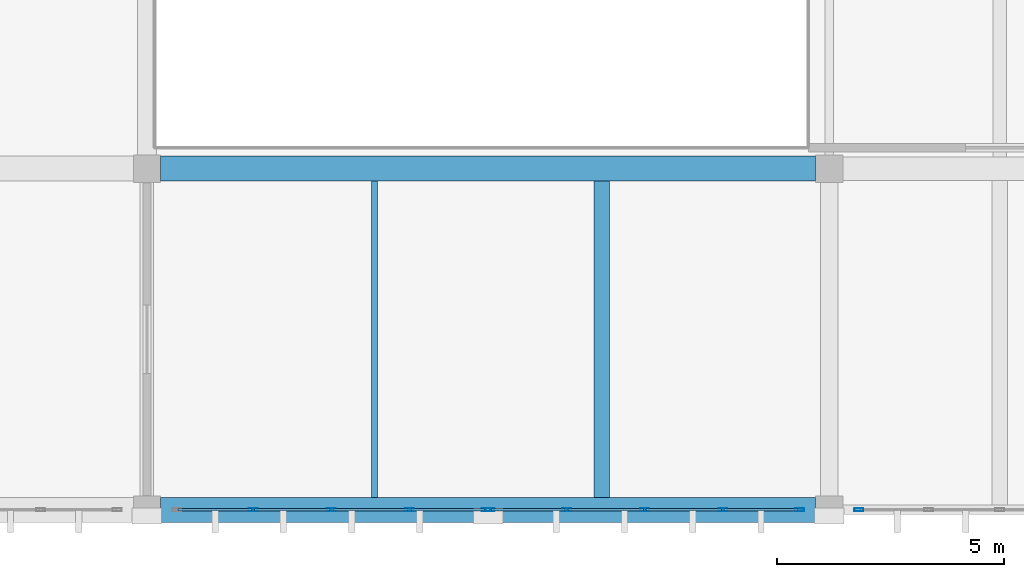
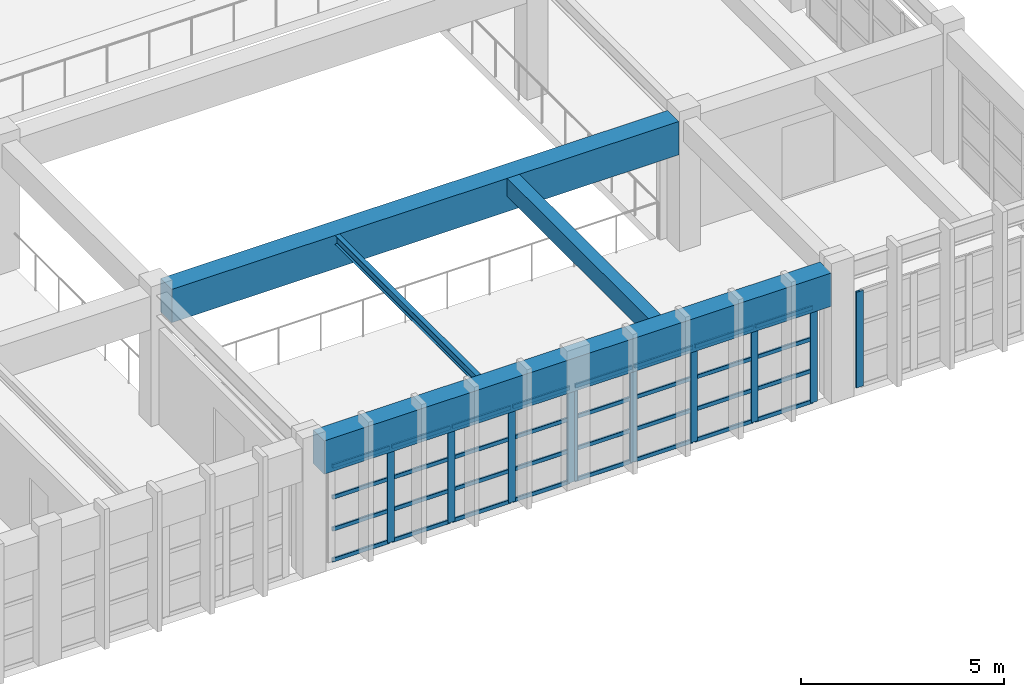
# One storey, part 5 of 124: 42 members, 4 beams, 3 elements without a shape of their own.
"""IFC4 building model written with IfcOpenShell, lengths in metres."""

from ifc_helpers import new_model, si_unit, direction, frame, origin, origin_2d, place, context, subcontext, project, spatial, rectangle, hollow_rectangle, i_section, extrude, material, material_profile, profile_set, type_object, element, aggregate, save


model = new_model("IFC4")

# Units and contexts
model_context = context("Model", 3, precision=1e-05, world=origin(), true_north=direction((0.0, 1.0)))
body_context = subcontext(model_context, "Body", "Model", "MODEL_VIEW")
ifc_project = project(units=[si_unit("LENGTHUNIT", "METRE"), si_unit("AREAUNIT", "SQUARE_METRE"), si_unit("VOLUMEUNIT", "CUBIC_METRE"), si_unit("PLANEANGLEUNIT", "RADIAN"), si_unit("MASSUNIT", "GRAM", prefix="KILO")], contexts=[model_context])

# Site, building, storey
site_placement = place(None, origin())
site = spatial("IfcSite", under=ifc_project, at=site_placement, CompositionType="ELEMENT")
building_placement = place(site_placement, origin())
building = spatial("IfcBuilding", under=site, at=building_placement, Name="Qasida Concert Hall", CompositionType="ELEMENT")
storey_placement = place(building_placement, frame((0.0, 0.0, 9.0)))
storey = spatial("IfcBuildingStorey", under=building, at=storey_placement, Name="L02", CompositionType="ELEMENT", Elevation=9.0)

# Beams
ifc_material_1 = material(Name="Concrete C40/50", Category="concrete")
ifc_material_profile_1 = material_profile(ifc_material_1, rectangle(XDim=0.550048828125, YDim=1.0, at=origin_2d()), Name="RC 550x1000")
ifc_profile_set_1 = profile_set([ifc_material_profile_1], Name="Concrete C40/50")
beam_type_1 = type_object("IfcBeamType", Name="BM-G3", PredefinedType="USERDEFINED", material=ifc_profile_set_1)
for number, where, z_axis, x_axis, name in (
    (1, (15.300048828125, 0.0, 3.39990234375), (1.0, 0.0, 0.0), (0.0, 1.0, 0.0), "Primary girder 1270"),
    (2, (15.300048828125, 7.5, 3.39990234375), (1.0, 0.0, 0.0), (0.0, 1.0, 0.0), "Primary girder 1273"),
):
    element("IfcBeam", number, at=place(storey_placement, frame(where, z_axis=z_axis, x_axis=x_axis)), inside=storey, type_object=beam_type_1, Name=name, ObjectType="GIRDER", PredefinedType="USERDEFINED", context=body_context, shape_type="SweptSolid", body=[
        extrude(rectangle(XDim=0.550048828125, YDim=1.0, at=origin_2d()), origin(), (0.0, 0.0, 1.0), 14.39990234375),
    ])
ifc_material_2 = material(Name="Steel S355J2", Category="steel")
ifc_material_profile_2 = material_profile(ifc_material_2, i_section(OverallWidth=0.135009765625, OverallDepth=0.27001953125, WebThickness=0.006591796875, FlangeThickness=0.01025390625, FilletRadius=0.014892578125, at=origin_2d()), Name="IPE 270")
ifc_profile_set_2 = profile_set([ifc_material_profile_2], Name="Steel S355J2")
beam_type_2 = type_object("IfcBeamType", Name="BM-J6", PredefinedType="JOIST", material=ifc_profile_set_2)
beam_1_placement = place(storey_placement, frame((20.0, 0.27490234375, 3.764892578125), z_axis=(0.0, 1.0, 0.0), x_axis=(-1.0, 0.0, 0.0)))
element("IfcBeam", 3, at=beam_1_placement, inside=storey, type_object=beam_type_2, Name="L02 secondary joist 1333", PredefinedType="JOIST", context=body_context, shape_type="SweptSolid", body=[
    extrude(i_section(OverallWidth=0.135009765625, OverallDepth=0.27001953125, WebThickness=0.006591796875, FlangeThickness=0.01025390625, FilletRadius=0.014892578125, at=origin_2d()), origin(), (0.0, 0.0, 1.0), 6.9501953125),
])
ifc_material_profile_3 = material_profile(ifc_material_1, rectangle(XDim=0.35009765625, YDim=0.550048828125, at=origin_2d()), Name="RC 350x550")
ifc_profile_set_3 = profile_set([ifc_material_profile_3], Name="Concrete C40/50")
beam_type_3 = type_object("IfcBeamType", Name="BM-J8", PredefinedType="JOIST", material=ifc_profile_set_3)
beam_2_placement = place(storey_placement, frame((25.0, 0.27490234375, 3.625), z_axis=(0.0, 1.0, 0.0), x_axis=(-1.0, 0.0, 0.0)))
element("IfcBeam", 4, at=beam_2_placement, inside=storey, type_object=beam_type_3, Name="L02 secondary joist 1334", PredefinedType="JOIST", context=body_context, shape_type="SweptSolid", body=[
    extrude(rectangle(XDim=0.35009765625, YDim=0.550048828125, at=origin_2d()), origin(), (0.0, 0.0, 1.0), 6.9501953125),
])

# Curtain wall, members
ifc_material_3 = material(Name="Architectural bronze-anodized aluminium and low-E glass", Category="aluminium")
curtain_wall_type = type_object("IfcCurtainWallType", Name="CW-08", PredefinedType="NOTDEFINED", material=ifc_material_3)
curtain_wall_1_placement = place(storey_placement, origin())
curtain_wall_1 = element("IfcCurtainWall", 5, at=curtain_wall_1_placement, inside=storey, type_object=curtain_wall_type, Name="L02 curtain wall CW-08 0103", PredefinedType="NOTDEFINED")
ifc_material_4 = material(Name="Architectural bronze-anodized aluminium EN AW-6063", Category="aluminium")
ifc_material_profile_4 = material_profile(ifc_material_4, hollow_rectangle(XDim=0.06494140625, YDim=0.199951171875, WallThickness=0.0048828125, InnerFilletRadius=0.0048828125, OuterFilletRadius=0.010009765625, at=origin_2d()), Name="CWM 200x65x5")
ifc_profile_set_4 = profile_set([ifc_material_profile_4], Name="Architectural bronze-anodized aluminium EN AW-6063")
member_type_1 = type_object("IfcMemberType", Name="MB-CWM-2", PredefinedType="MULLION", material=ifc_profile_set_4)
member_1_placement = place(storey_placement, frame((17.33740234375, 0.0, 0.0), z_axis=(0.0, 0.0, 1.0), x_axis=(0.0, 1.0, 0.0)))
member_1 = element("IfcMember", 6, at=member_1_placement, type_object=member_type_1, Name="CW-08 mullion 2", PredefinedType="MULLION", context=body_context, shape_type="SweptSolid", body=[
    extrude(hollow_rectangle(XDim=0.06494140625, YDim=0.199951171875, WallThickness=0.0048828125, InnerFilletRadius=0.0048828125, OuterFilletRadius=0.010009765625, at=origin_2d()), origin(), (0.0, 0.0, 1.0), 2.8701171875),
])
member_2_placement = place(storey_placement, frame((19.054931640625, 0.0, 0.0), z_axis=(0.0, 0.0, 1.0), x_axis=(0.0, 1.0, 0.0)))
member_2 = element("IfcMember", 7, at=member_2_placement, type_object=member_type_1, Name="CW-08 mullion 3", PredefinedType="MULLION", context=body_context, shape_type="SweptSolid", body=[
    extrude(hollow_rectangle(XDim=0.06494140625, YDim=0.199951171875, WallThickness=0.0048828125, InnerFilletRadius=0.0048828125, OuterFilletRadius=0.010009765625, at=origin_2d()), origin(), (0.0, 0.0, 1.0), 2.8701171875),
])
member_3_placement = place(storey_placement, frame((20.7724609375, 0.0, 0.0), z_axis=(0.0, 0.0, 1.0), x_axis=(0.0, 1.0, 0.0)))
member_3 = element("IfcMember", 8, at=member_3_placement, type_object=member_type_1, Name="CW-08 mullion 4", PredefinedType="MULLION", context=body_context, shape_type="SweptSolid", body=[
    extrude(hollow_rectangle(XDim=0.06494140625, YDim=0.199951171875, WallThickness=0.0048828125, InnerFilletRadius=0.0048828125, OuterFilletRadius=0.010009765625, at=origin_2d()), origin(), (0.0, 0.0, 1.0), 2.8701171875),
])
member_4_placement = place(storey_placement, frame((22.45751953125, 0.0, 0.0), z_axis=(0.0, 0.0, 1.0), x_axis=(0.0, 1.0, 0.0)))
member_4 = element("IfcMember", 9, at=member_4_placement, type_object=member_type_1, Name="CW-08 mullion 5", PredefinedType="MULLION", context=body_context, shape_type="SweptSolid", body=[
    extrude(hollow_rectangle(XDim=0.06494140625, YDim=0.199951171875, WallThickness=0.0048828125, InnerFilletRadius=0.0048828125, OuterFilletRadius=0.010009765625, at=origin_2d()), origin(), (0.0, 0.0, 1.0), 2.8701171875),
])

curtain_wall_2_placement = place(storey_placement, origin())
curtain_wall_2 = element("IfcCurtainWall", 10, at=curtain_wall_2_placement, inside=storey, type_object=curtain_wall_type, Name="L02 curtain wall CW-08 0105", PredefinedType="NOTDEFINED")
member_5_placement = place(storey_placement, frame((22.54248046875, 0.0, 0.0), z_axis=(0.0, 0.0, 1.0), x_axis=(0.0, 1.0, 0.0)))
member_5 = element("IfcMember", 11, at=member_5_placement, type_object=member_type_1, Name="CW-08 mullion 1", PredefinedType="MULLION", context=body_context, shape_type="SweptSolid", body=[
    extrude(hollow_rectangle(XDim=0.06494140625, YDim=0.199951171875, WallThickness=0.0048828125, InnerFilletRadius=0.0048828125, OuterFilletRadius=0.010009765625, at=origin_2d()), origin(), (0.0, 0.0, 1.0), 2.8701171875),
])
member_6_placement = place(storey_placement, frame((24.2275390625, 0.0, 0.0), z_axis=(0.0, 0.0, 1.0), x_axis=(0.0, 1.0, 0.0)))
member_6 = element("IfcMember", 12, at=member_6_placement, type_object=member_type_1, Name="CW-08 mullion 2", PredefinedType="MULLION", context=body_context, shape_type="SweptSolid", body=[
    extrude(hollow_rectangle(XDim=0.06494140625, YDim=0.199951171875, WallThickness=0.0048828125, InnerFilletRadius=0.0048828125, OuterFilletRadius=0.010009765625, at=origin_2d()), origin(), (0.0, 0.0, 1.0), 2.8701171875),
])
member_7_placement = place(storey_placement, frame((25.945068359375, 0.0, 0.0), z_axis=(0.0, 0.0, 1.0), x_axis=(0.0, 1.0, 0.0)))
member_7 = element("IfcMember", 13, at=member_7_placement, type_object=member_type_1, Name="CW-08 mullion 3", PredefinedType="MULLION", context=body_context, shape_type="SweptSolid", body=[
    extrude(hollow_rectangle(XDim=0.06494140625, YDim=0.199951171875, WallThickness=0.0048828125, InnerFilletRadius=0.0048828125, OuterFilletRadius=0.010009765625, at=origin_2d()), origin(), (0.0, 0.0, 1.0), 2.8701171875),
])
member_8_placement = place(storey_placement, frame((27.66259765625, 0.0, 0.0), z_axis=(0.0, 0.0, 1.0), x_axis=(0.0, 1.0, 0.0)))
member_8 = element("IfcMember", 14, at=member_8_placement, type_object=member_type_1, Name="CW-08 mullion 4", PredefinedType="MULLION", context=body_context, shape_type="SweptSolid", body=[
    extrude(hollow_rectangle(XDim=0.06494140625, YDim=0.199951171875, WallThickness=0.0048828125, InnerFilletRadius=0.0048828125, OuterFilletRadius=0.010009765625, at=origin_2d()), origin(), (0.0, 0.0, 1.0), 2.8701171875),
])
member_9_placement = place(storey_placement, frame((29.347412109375, 0.0, 0.0), z_axis=(0.0, 0.0, 1.0), x_axis=(0.0, 1.0, 0.0)))
member_9 = element("IfcMember", 15, at=member_9_placement, type_object=member_type_1, Name="CW-08 mullion 5", PredefinedType="MULLION", context=body_context, shape_type="SweptSolid", body=[
    extrude(hollow_rectangle(XDim=0.06494140625, YDim=0.199951171875, WallThickness=0.0048828125, InnerFilletRadius=0.0048828125, OuterFilletRadius=0.010009765625, at=origin_2d()), origin(), (0.0, 0.0, 1.0), 2.8701171875),
])

# Curtain wall, member
curtain_wall_3_placement = place(storey_placement, origin())
curtain_wall_3 = element("IfcCurtainWall", 16, at=curtain_wall_3_placement, inside=storey, type_object=curtain_wall_type, Name="L02 curtain wall CW-08 0107", PredefinedType="NOTDEFINED")
member_10_placement = place(storey_placement, frame((30.652587890625, 0.0, 0.0), z_axis=(0.0, 0.0, 1.0), x_axis=(0.0, 1.0, 0.0)))
member_10 = element("IfcMember", 17, at=member_10_placement, type_object=member_type_1, Name="CW-08 mullion 1", PredefinedType="MULLION", context=body_context, shape_type="SweptSolid", body=[
    extrude(hollow_rectangle(XDim=0.06494140625, YDim=0.199951171875, WallThickness=0.0048828125, InnerFilletRadius=0.0048828125, OuterFilletRadius=0.010009765625, at=origin_2d()), origin(), (0.0, 0.0, 1.0), 2.8701171875),
])
aggregate(curtain_wall_3, [member_10])

# Member
ifc_material_profile_5 = material_profile(ifc_material_4, hollow_rectangle(XDim=0.06005859375, YDim=0.1201171875, WallThickness=0.00390625, InnerFilletRadius=0.00390625, OuterFilletRadius=0.008056640625, at=origin_2d()), Name="CWT 120x60x4")
ifc_profile_set_5 = profile_set([ifc_material_profile_5], Name="Architectural bronze-anodized aluminium EN AW-6063")
member_type_2 = type_object("IfcMemberType", Name="MB-CWT-2", PredefinedType="USERDEFINED", material=ifc_profile_set_5)
member_11_placement = place(storey_placement, frame((15.68505859375, 0.0, 0.030029296875), z_axis=(1.0, 0.0, 0.0), x_axis=(0.0, 1.0, 0.0)))
member_11 = element("IfcMember", 18, at=member_11_placement, type_object=member_type_2, Name="CW-08 transom 1.1", ObjectType="TRANSOM", PredefinedType="USERDEFINED", context=body_context, shape_type="SweptSolid", body=[
    extrude(hollow_rectangle(XDim=0.06005859375, YDim=0.1201171875, WallThickness=0.00390625, InnerFilletRadius=0.00390625, OuterFilletRadius=0.008056640625, at=origin_2d()), origin(), (0.0, 0.0, 1.0), 1.619873046875),
])

member_12_placement = place(storey_placement, frame((15.68505859375, 0.0, 0.956787109375), z_axis=(1.0, 0.0, 0.0), x_axis=(0.0, 1.0, 0.0)))
member_12 = element("IfcMember", 19, at=member_12_placement, type_object=member_type_2, Name="CW-08 transom 1.2", ObjectType="TRANSOM", PredefinedType="USERDEFINED", context=body_context, shape_type="SweptSolid", body=[
    extrude(hollow_rectangle(XDim=0.06005859375, YDim=0.1201171875, WallThickness=0.00390625, InnerFilletRadius=0.00390625, OuterFilletRadius=0.008056640625, at=origin_2d()), origin(), (0.0, 0.0, 1.0), 1.619873046875),
])

member_13_placement = place(storey_placement, frame((15.68505859375, 0.0, 1.913330078125), z_axis=(1.0, 0.0, 0.0), x_axis=(0.0, 1.0, 0.0)))
member_13 = element("IfcMember", 20, at=member_13_placement, type_object=member_type_2, Name="CW-08 transom 1.3", ObjectType="TRANSOM", PredefinedType="USERDEFINED", context=body_context, shape_type="SweptSolid", body=[
    extrude(hollow_rectangle(XDim=0.06005859375, YDim=0.1201171875, WallThickness=0.00390625, InnerFilletRadius=0.00390625, OuterFilletRadius=0.008056640625, at=origin_2d()), origin(), (0.0, 0.0, 1.0), 1.619873046875),
])

member_14_placement = place(storey_placement, frame((15.68505859375, 0.0, 2.840087890625), z_axis=(1.0, 0.0, 0.0), x_axis=(0.0, 1.0, 0.0)))
member_14 = element("IfcMember", 21, at=member_14_placement, type_object=member_type_2, Name="CW-08 transom 1.4", ObjectType="TRANSOM", PredefinedType="USERDEFINED", context=body_context, shape_type="SweptSolid", body=[
    extrude(hollow_rectangle(XDim=0.06005859375, YDim=0.1201171875, WallThickness=0.00390625, InnerFilletRadius=0.00390625, OuterFilletRadius=0.008056640625, at=origin_2d()), origin(), (0.0, 0.0, 1.0), 1.619873046875),
])

member_15_placement = place(storey_placement, frame((17.3701171875, 0.0, 0.030029296875), z_axis=(1.0, 0.0, 0.0), x_axis=(0.0, 1.0, 0.0)))
member_15 = element("IfcMember", 22, at=member_15_placement, type_object=member_type_2, Name="CW-08 transom 2.1", ObjectType="TRANSOM", PredefinedType="USERDEFINED", context=body_context, shape_type="SweptSolid", body=[
    extrude(hollow_rectangle(XDim=0.06005859375, YDim=0.1201171875, WallThickness=0.00390625, InnerFilletRadius=0.00390625, OuterFilletRadius=0.008056640625, at=origin_2d()), origin(), (0.0, 0.0, 1.0), 1.65234375),
])

member_16_placement = place(storey_placement, frame((17.3701171875, 0.0, 0.956787109375), z_axis=(1.0, 0.0, 0.0), x_axis=(0.0, 1.0, 0.0)))
member_16 = element("IfcMember", 23, at=member_16_placement, type_object=member_type_2, Name="CW-08 transom 2.2", ObjectType="TRANSOM", PredefinedType="USERDEFINED", context=body_context, shape_type="SweptSolid", body=[
    extrude(hollow_rectangle(XDim=0.06005859375, YDim=0.1201171875, WallThickness=0.00390625, InnerFilletRadius=0.00390625, OuterFilletRadius=0.008056640625, at=origin_2d()), origin(), (0.0, 0.0, 1.0), 1.65234375),
])

member_17_placement = place(storey_placement, frame((17.3701171875, 0.0, 1.913330078125), z_axis=(1.0, 0.0, 0.0), x_axis=(0.0, 1.0, 0.0)))
member_17 = element("IfcMember", 24, at=member_17_placement, type_object=member_type_2, Name="CW-08 transom 2.3", ObjectType="TRANSOM", PredefinedType="USERDEFINED", context=body_context, shape_type="SweptSolid", body=[
    extrude(hollow_rectangle(XDim=0.06005859375, YDim=0.1201171875, WallThickness=0.00390625, InnerFilletRadius=0.00390625, OuterFilletRadius=0.008056640625, at=origin_2d()), origin(), (0.0, 0.0, 1.0), 1.65234375),
])

member_18_placement = place(storey_placement, frame((17.3701171875, 0.0, 2.840087890625), z_axis=(1.0, 0.0, 0.0), x_axis=(0.0, 1.0, 0.0)))
member_18 = element("IfcMember", 25, at=member_18_placement, type_object=member_type_2, Name="CW-08 transom 2.4", ObjectType="TRANSOM", PredefinedType="USERDEFINED", context=body_context, shape_type="SweptSolid", body=[
    extrude(hollow_rectangle(XDim=0.06005859375, YDim=0.1201171875, WallThickness=0.00390625, InnerFilletRadius=0.00390625, OuterFilletRadius=0.008056640625, at=origin_2d()), origin(), (0.0, 0.0, 1.0), 1.65234375),
])

member_19_placement = place(storey_placement, frame((19.08740234375, 0.0, 0.030029296875), z_axis=(1.0, 0.0, 0.0), x_axis=(0.0, 1.0, 0.0)))
member_19 = element("IfcMember", 26, at=member_19_placement, type_object=member_type_2, Name="CW-08 transom 3.1", ObjectType="TRANSOM", PredefinedType="USERDEFINED", context=body_context, shape_type="SweptSolid", body=[
    extrude(hollow_rectangle(XDim=0.06005859375, YDim=0.1201171875, WallThickness=0.00390625, InnerFilletRadius=0.00390625, OuterFilletRadius=0.008056640625, at=origin_2d()), origin(), (0.0, 0.0, 1.0), 1.652587890625),
])

member_20_placement = place(storey_placement, frame((19.08740234375, 0.0, 0.956787109375), z_axis=(1.0, 0.0, 0.0), x_axis=(0.0, 1.0, 0.0)))
member_20 = element("IfcMember", 27, at=member_20_placement, type_object=member_type_2, Name="CW-08 transom 3.2", ObjectType="TRANSOM", PredefinedType="USERDEFINED", context=body_context, shape_type="SweptSolid", body=[
    extrude(hollow_rectangle(XDim=0.06005859375, YDim=0.1201171875, WallThickness=0.00390625, InnerFilletRadius=0.00390625, OuterFilletRadius=0.008056640625, at=origin_2d()), origin(), (0.0, 0.0, 1.0), 1.652587890625),
])

member_21_placement = place(storey_placement, frame((19.08740234375, 0.0, 1.913330078125), z_axis=(1.0, 0.0, 0.0), x_axis=(0.0, 1.0, 0.0)))
member_21 = element("IfcMember", 28, at=member_21_placement, type_object=member_type_2, Name="CW-08 transom 3.3", ObjectType="TRANSOM", PredefinedType="USERDEFINED", context=body_context, shape_type="SweptSolid", body=[
    extrude(hollow_rectangle(XDim=0.06005859375, YDim=0.1201171875, WallThickness=0.00390625, InnerFilletRadius=0.00390625, OuterFilletRadius=0.008056640625, at=origin_2d()), origin(), (0.0, 0.0, 1.0), 1.652587890625),
])

member_22_placement = place(storey_placement, frame((19.08740234375, 0.0, 2.840087890625), z_axis=(1.0, 0.0, 0.0), x_axis=(0.0, 1.0, 0.0)))
member_22 = element("IfcMember", 29, at=member_22_placement, type_object=member_type_2, Name="CW-08 transom 3.4", ObjectType="TRANSOM", PredefinedType="USERDEFINED", context=body_context, shape_type="SweptSolid", body=[
    extrude(hollow_rectangle(XDim=0.06005859375, YDim=0.1201171875, WallThickness=0.00390625, InnerFilletRadius=0.00390625, OuterFilletRadius=0.008056640625, at=origin_2d()), origin(), (0.0, 0.0, 1.0), 1.652587890625),
])

member_23_placement = place(storey_placement, frame((20.804931640625, 0.0, 0.030029296875), z_axis=(1.0, 0.0, 0.0), x_axis=(0.0, 1.0, 0.0)))
member_23 = element("IfcMember", 30, at=member_23_placement, type_object=member_type_2, Name="CW-08 transom 4.1", ObjectType="TRANSOM", PredefinedType="USERDEFINED", context=body_context, shape_type="SweptSolid", body=[
    extrude(hollow_rectangle(XDim=0.06005859375, YDim=0.1201171875, WallThickness=0.00390625, InnerFilletRadius=0.00390625, OuterFilletRadius=0.008056640625, at=origin_2d()), origin(), (0.0, 0.0, 1.0), 1.6201171875),
])

member_24_placement = place(storey_placement, frame((20.804931640625, 0.0, 0.956787109375), z_axis=(1.0, 0.0, 0.0), x_axis=(0.0, 1.0, 0.0)))
member_24 = element("IfcMember", 31, at=member_24_placement, type_object=member_type_2, Name="CW-08 transom 4.2", ObjectType="TRANSOM", PredefinedType="USERDEFINED", context=body_context, shape_type="SweptSolid", body=[
    extrude(hollow_rectangle(XDim=0.06005859375, YDim=0.1201171875, WallThickness=0.00390625, InnerFilletRadius=0.00390625, OuterFilletRadius=0.008056640625, at=origin_2d()), origin(), (0.0, 0.0, 1.0), 1.6201171875),
])

member_25_placement = place(storey_placement, frame((20.804931640625, 0.0, 1.913330078125), z_axis=(1.0, 0.0, 0.0), x_axis=(0.0, 1.0, 0.0)))
member_25 = element("IfcMember", 32, at=member_25_placement, type_object=member_type_2, Name="CW-08 transom 4.3", ObjectType="TRANSOM", PredefinedType="USERDEFINED", context=body_context, shape_type="SweptSolid", body=[
    extrude(hollow_rectangle(XDim=0.06005859375, YDim=0.1201171875, WallThickness=0.00390625, InnerFilletRadius=0.00390625, OuterFilletRadius=0.008056640625, at=origin_2d()), origin(), (0.0, 0.0, 1.0), 1.6201171875),
])

member_26_placement = place(storey_placement, frame((20.804931640625, 0.0, 2.840087890625), z_axis=(1.0, 0.0, 0.0), x_axis=(0.0, 1.0, 0.0)))
member_26 = element("IfcMember", 33, at=member_26_placement, type_object=member_type_2, Name="CW-08 transom 4.4", ObjectType="TRANSOM", PredefinedType="USERDEFINED", context=body_context, shape_type="SweptSolid", body=[
    extrude(hollow_rectangle(XDim=0.06005859375, YDim=0.1201171875, WallThickness=0.00390625, InnerFilletRadius=0.00390625, OuterFilletRadius=0.008056640625, at=origin_2d()), origin(), (0.0, 0.0, 1.0), 1.6201171875),
])

aggregate(curtain_wall_1, [member_1, member_2, member_3, member_4, member_11, member_12, member_13, member_14, member_15, member_16, member_17, member_18, member_19, member_20, member_21, member_22, member_23, member_24, member_25, member_26])

member_27_placement = place(storey_placement, frame((22.574951171875, 0.0, 0.030029296875), z_axis=(1.0, 0.0, 0.0), x_axis=(0.0, 1.0, 0.0)))
member_27 = element("IfcMember", 34, at=member_27_placement, type_object=member_type_2, Name="CW-08 transom 1.1", ObjectType="TRANSOM", PredefinedType="USERDEFINED", context=body_context, shape_type="SweptSolid", body=[
    extrude(hollow_rectangle(XDim=0.06005859375, YDim=0.1201171875, WallThickness=0.00390625, InnerFilletRadius=0.00390625, OuterFilletRadius=0.008056640625, at=origin_2d()), origin(), (0.0, 0.0, 1.0), 1.6201171875),
])

member_28_placement = place(storey_placement, frame((22.574951171875, 0.0, 0.956787109375), z_axis=(1.0, 0.0, 0.0), x_axis=(0.0, 1.0, 0.0)))
member_28 = element("IfcMember", 35, at=member_28_placement, type_object=member_type_2, Name="CW-08 transom 1.2", ObjectType="TRANSOM", PredefinedType="USERDEFINED", context=body_context, shape_type="SweptSolid", body=[
    extrude(hollow_rectangle(XDim=0.06005859375, YDim=0.1201171875, WallThickness=0.00390625, InnerFilletRadius=0.00390625, OuterFilletRadius=0.008056640625, at=origin_2d()), origin(), (0.0, 0.0, 1.0), 1.6201171875),
])

member_29_placement = place(storey_placement, frame((22.574951171875, 0.0, 1.913330078125), z_axis=(1.0, 0.0, 0.0), x_axis=(0.0, 1.0, 0.0)))
member_29 = element("IfcMember", 36, at=member_29_placement, type_object=member_type_2, Name="CW-08 transom 1.3", ObjectType="TRANSOM", PredefinedType="USERDEFINED", context=body_context, shape_type="SweptSolid", body=[
    extrude(hollow_rectangle(XDim=0.06005859375, YDim=0.1201171875, WallThickness=0.00390625, InnerFilletRadius=0.00390625, OuterFilletRadius=0.008056640625, at=origin_2d()), origin(), (0.0, 0.0, 1.0), 1.6201171875),
])

member_30_placement = place(storey_placement, frame((22.574951171875, 0.0, 2.840087890625), z_axis=(1.0, 0.0, 0.0), x_axis=(0.0, 1.0, 0.0)))
member_30 = element("IfcMember", 37, at=member_30_placement, type_object=member_type_2, Name="CW-08 transom 1.4", ObjectType="TRANSOM", PredefinedType="USERDEFINED", context=body_context, shape_type="SweptSolid", body=[
    extrude(hollow_rectangle(XDim=0.06005859375, YDim=0.1201171875, WallThickness=0.00390625, InnerFilletRadius=0.00390625, OuterFilletRadius=0.008056640625, at=origin_2d()), origin(), (0.0, 0.0, 1.0), 1.6201171875),
])

member_31_placement = place(storey_placement, frame((24.260009765625, 0.0, 0.030029296875), z_axis=(1.0, 0.0, 0.0), x_axis=(0.0, 1.0, 0.0)))
member_31 = element("IfcMember", 38, at=member_31_placement, type_object=member_type_2, Name="CW-08 transom 2.1", ObjectType="TRANSOM", PredefinedType="USERDEFINED", context=body_context, shape_type="SweptSolid", body=[
    extrude(hollow_rectangle(XDim=0.06005859375, YDim=0.1201171875, WallThickness=0.00390625, InnerFilletRadius=0.00390625, OuterFilletRadius=0.008056640625, at=origin_2d()), origin(), (0.0, 0.0, 1.0), 1.652587890625),
])

member_32_placement = place(storey_placement, frame((24.260009765625, 0.0, 0.956787109375), z_axis=(1.0, 0.0, 0.0), x_axis=(0.0, 1.0, 0.0)))
member_32 = element("IfcMember", 39, at=member_32_placement, type_object=member_type_2, Name="CW-08 transom 2.2", ObjectType="TRANSOM", PredefinedType="USERDEFINED", context=body_context, shape_type="SweptSolid", body=[
    extrude(hollow_rectangle(XDim=0.06005859375, YDim=0.1201171875, WallThickness=0.00390625, InnerFilletRadius=0.00390625, OuterFilletRadius=0.008056640625, at=origin_2d()), origin(), (0.0, 0.0, 1.0), 1.652587890625),
])

member_33_placement = place(storey_placement, frame((24.260009765625, 0.0, 1.913330078125), z_axis=(1.0, 0.0, 0.0), x_axis=(0.0, 1.0, 0.0)))
member_33 = element("IfcMember", 40, at=member_33_placement, type_object=member_type_2, Name="CW-08 transom 2.3", ObjectType="TRANSOM", PredefinedType="USERDEFINED", context=body_context, shape_type="SweptSolid", body=[
    extrude(hollow_rectangle(XDim=0.06005859375, YDim=0.1201171875, WallThickness=0.00390625, InnerFilletRadius=0.00390625, OuterFilletRadius=0.008056640625, at=origin_2d()), origin(), (0.0, 0.0, 1.0), 1.652587890625),
])

member_34_placement = place(storey_placement, frame((24.260009765625, 0.0, 2.840087890625), z_axis=(1.0, 0.0, 0.0), x_axis=(0.0, 1.0, 0.0)))
member_34 = element("IfcMember", 41, at=member_34_placement, type_object=member_type_2, Name="CW-08 transom 2.4", ObjectType="TRANSOM", PredefinedType="USERDEFINED", context=body_context, shape_type="SweptSolid", body=[
    extrude(hollow_rectangle(XDim=0.06005859375, YDim=0.1201171875, WallThickness=0.00390625, InnerFilletRadius=0.00390625, OuterFilletRadius=0.008056640625, at=origin_2d()), origin(), (0.0, 0.0, 1.0), 1.652587890625),
])

member_35_placement = place(storey_placement, frame((25.9775390625, 0.0, 0.030029296875), z_axis=(1.0, 0.0, 0.0), x_axis=(0.0, 1.0, 0.0)))
member_35 = element("IfcMember", 42, at=member_35_placement, type_object=member_type_2, Name="CW-08 transom 3.1", ObjectType="TRANSOM", PredefinedType="USERDEFINED", context=body_context, shape_type="SweptSolid", body=[
    extrude(hollow_rectangle(XDim=0.06005859375, YDim=0.1201171875, WallThickness=0.00390625, InnerFilletRadius=0.00390625, OuterFilletRadius=0.008056640625, at=origin_2d()), origin(), (0.0, 0.0, 1.0), 1.65234375),
])

member_36_placement = place(storey_placement, frame((25.9775390625, 0.0, 0.956787109375), z_axis=(1.0, 0.0, 0.0), x_axis=(0.0, 1.0, 0.0)))
member_36 = element("IfcMember", 43, at=member_36_placement, type_object=member_type_2, Name="CW-08 transom 3.2", ObjectType="TRANSOM", PredefinedType="USERDEFINED", context=body_context, shape_type="SweptSolid", body=[
    extrude(hollow_rectangle(XDim=0.06005859375, YDim=0.1201171875, WallThickness=0.00390625, InnerFilletRadius=0.00390625, OuterFilletRadius=0.008056640625, at=origin_2d()), origin(), (0.0, 0.0, 1.0), 1.65234375),
])

member_37_placement = place(storey_placement, frame((25.9775390625, 0.0, 1.913330078125), z_axis=(1.0, 0.0, 0.0), x_axis=(0.0, 1.0, 0.0)))
member_37 = element("IfcMember", 44, at=member_37_placement, type_object=member_type_2, Name="CW-08 transom 3.3", ObjectType="TRANSOM", PredefinedType="USERDEFINED", context=body_context, shape_type="SweptSolid", body=[
    extrude(hollow_rectangle(XDim=0.06005859375, YDim=0.1201171875, WallThickness=0.00390625, InnerFilletRadius=0.00390625, OuterFilletRadius=0.008056640625, at=origin_2d()), origin(), (0.0, 0.0, 1.0), 1.65234375),
])

member_38_placement = place(storey_placement, frame((25.9775390625, 0.0, 2.840087890625), z_axis=(1.0, 0.0, 0.0), x_axis=(0.0, 1.0, 0.0)))
member_38 = element("IfcMember", 45, at=member_38_placement, type_object=member_type_2, Name="CW-08 transom 3.4", ObjectType="TRANSOM", PredefinedType="USERDEFINED", context=body_context, shape_type="SweptSolid", body=[
    extrude(hollow_rectangle(XDim=0.06005859375, YDim=0.1201171875, WallThickness=0.00390625, InnerFilletRadius=0.00390625, OuterFilletRadius=0.008056640625, at=origin_2d()), origin(), (0.0, 0.0, 1.0), 1.65234375),
])

member_39_placement = place(storey_placement, frame((27.695068359375, 0.0, 0.030029296875), z_axis=(1.0, 0.0, 0.0), x_axis=(0.0, 1.0, 0.0)))
member_39 = element("IfcMember", 46, at=member_39_placement, type_object=member_type_2, Name="CW-08 transom 4.1", ObjectType="TRANSOM", PredefinedType="USERDEFINED", context=body_context, shape_type="SweptSolid", body=[
    extrude(hollow_rectangle(XDim=0.06005859375, YDim=0.1201171875, WallThickness=0.00390625, InnerFilletRadius=0.00390625, OuterFilletRadius=0.008056640625, at=origin_2d()), origin(), (0.0, 0.0, 1.0), 1.619873046875),
])

member_40_placement = place(storey_placement, frame((27.695068359375, 0.0, 0.956787109375), z_axis=(1.0, 0.0, 0.0), x_axis=(0.0, 1.0, 0.0)))
member_40 = element("IfcMember", 47, at=member_40_placement, type_object=member_type_2, Name="CW-08 transom 4.2", ObjectType="TRANSOM", PredefinedType="USERDEFINED", context=body_context, shape_type="SweptSolid", body=[
    extrude(hollow_rectangle(XDim=0.06005859375, YDim=0.1201171875, WallThickness=0.00390625, InnerFilletRadius=0.00390625, OuterFilletRadius=0.008056640625, at=origin_2d()), origin(), (0.0, 0.0, 1.0), 1.619873046875),
])

member_41_placement = place(storey_placement, frame((27.695068359375, 0.0, 1.913330078125), z_axis=(1.0, 0.0, 0.0), x_axis=(0.0, 1.0, 0.0)))
member_41 = element("IfcMember", 48, at=member_41_placement, type_object=member_type_2, Name="CW-08 transom 4.3", ObjectType="TRANSOM", PredefinedType="USERDEFINED", context=body_context, shape_type="SweptSolid", body=[
    extrude(hollow_rectangle(XDim=0.06005859375, YDim=0.1201171875, WallThickness=0.00390625, InnerFilletRadius=0.00390625, OuterFilletRadius=0.008056640625, at=origin_2d()), origin(), (0.0, 0.0, 1.0), 1.619873046875),
])

member_42_placement = place(storey_placement, frame((27.695068359375, 0.0, 2.840087890625), z_axis=(1.0, 0.0, 0.0), x_axis=(0.0, 1.0, 0.0)))
member_42 = element("IfcMember", 49, at=member_42_placement, type_object=member_type_2, Name="CW-08 transom 4.4", ObjectType="TRANSOM", PredefinedType="USERDEFINED", context=body_context, shape_type="SweptSolid", body=[
    extrude(hollow_rectangle(XDim=0.06005859375, YDim=0.1201171875, WallThickness=0.00390625, InnerFilletRadius=0.00390625, OuterFilletRadius=0.008056640625, at=origin_2d()), origin(), (0.0, 0.0, 1.0), 1.619873046875),
])

aggregate(curtain_wall_2, [member_5, member_6, member_7, member_8, member_9, member_27, member_28, member_29, member_30, member_31, member_32, member_33, member_34, member_35, member_36, member_37, member_38, member_39, member_40, member_41, member_42])

save(model, "model.ifc")
